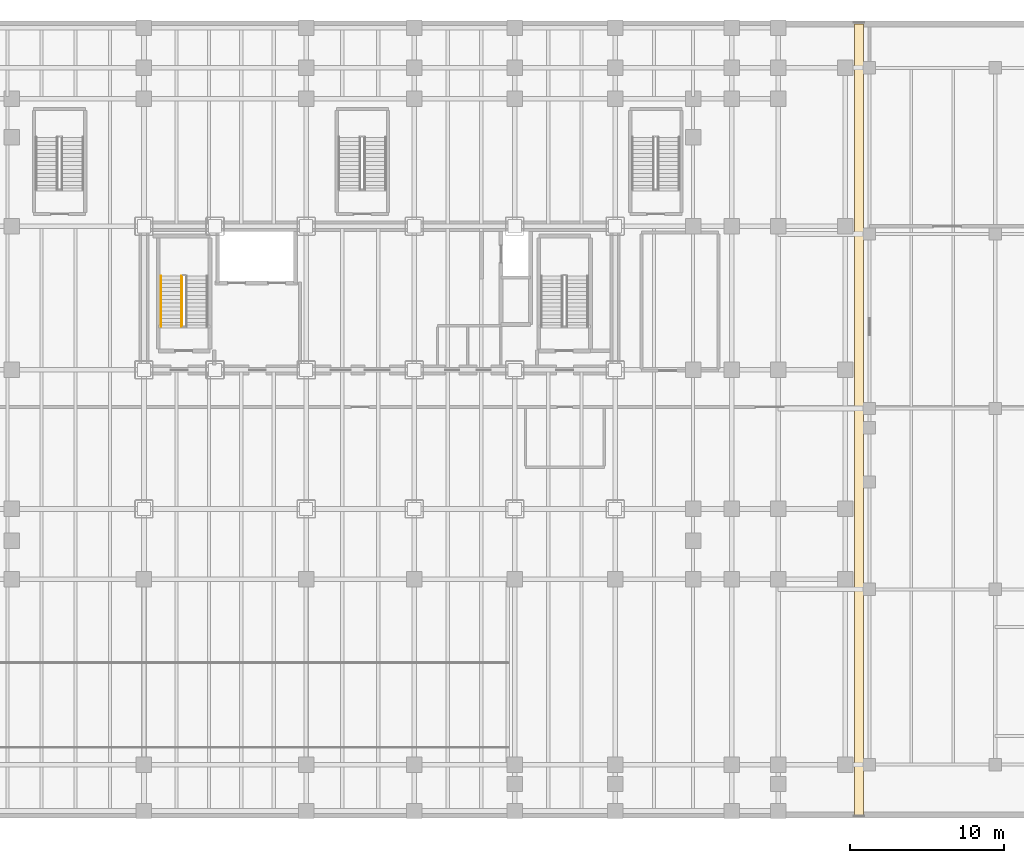
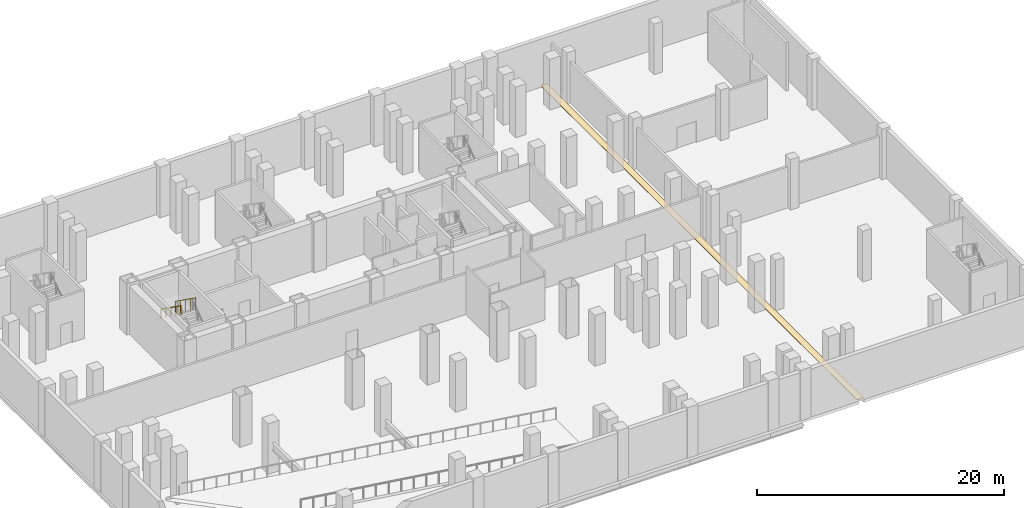
# One storey, part 15 of 18: 2 railings, 1 covering.
"""IFC4 building model written with IfcOpenShell, lengths in metres."""

import ifcopenshell
import ifcopenshell.guid

model = None  # the IFC model being written
_history = None  # IfcOwnerHistory: only IFC2X3 demands one
_inside = {}  # id of a spatial element -> (the spatial element, [elements in it])
_under = {}  # id of a project, library or spatial element -> (it, [spatial elements below it])
_declared = {}  # id of a project -> (the project, [libraries it declares])
_typed = {}  # id of a type object -> (the type object, [elements of that type])
_made_of = {}  # id of a material, layer set ... -> (it, [elements and type objects made of it])


def new_model(schema):
    """Start an empty IFC model of exactly this schema.

    Asked for "IFC4X3", IfcOpenShell would pick the latest addendum, in which some entities
    have other attributes; the version numbers below select the first issue.
    IFC2X3 requires an IfcOwnerHistory on every rooted entity: one is made here for all.
    """
    global model, _history
    if schema == "IFC4X3":
        model = ifcopenshell.file(schema_version=(4, 3, 0, 0))
    else:
        model = ifcopenshell.file(schema=schema)
    _inside.clear()
    _under.clear()
    _declared.clear()
    _typed.clear()
    _made_of.clear()
    _history = None
    if model.schema == "IFC2X3":
        org = make("IfcOrganization", Name="unknown")
        user = make(
            "IfcPersonAndOrganization",
            ThePerson=make("IfcPerson", FamilyName="unknown"),
            TheOrganization=org,
        )
        app = make(
            "IfcApplication",
            ApplicationDeveloper=org,
            Version="unknown",
            ApplicationFullName="unknown",
            ApplicationIdentifier="unknown",
        )
        _history = make(
            "IfcOwnerHistory",
            OwningUser=user,
            OwningApplication=app,
            ChangeAction="ADDED",
            CreationDate=0,
        )
    return model


def make(cls, **values):
    """One entity of the class cls with the attributes given. An attribute that is None is left unset."""
    return model.create_entity(
        cls, **{name: value for name, value in values.items() if value is not None}
    )


def rooted(cls, **values):
    """An entity with a GlobalId (a new one), such as an element, a storey or a relation."""
    return make(cls, GlobalId=ifcopenshell.guid.new(), OwnerHistory=_history, **values)


def si_unit(unit_type, name, prefix=None):
    """IfcSIUnit, for example si_unit("LENGTHUNIT", "METRE", prefix="MILLI")."""
    return make("IfcSIUnit", UnitType=unit_type, Prefix=prefix, Name=name)


def assignment(units):
    """IfcUnitAssignment: the units of a project."""
    return None if units is None else make("IfcUnitAssignment", Units=units)


def point(xyz):
    """IfcCartesianPoint."""
    return None if xyz is None else make("IfcCartesianPoint", Coordinates=xyz)


def direction(xyz):
    """IfcDirection."""
    return None if xyz is None else make("IfcDirection", DirectionRatios=xyz)


def frame(location, z_axis=None, x_axis=None):
    """IfcAxis2Placement3D, a coordinate frame: its origin and axes. An axis left out is left unset."""
    return make(
        "IfcAxis2Placement3D",
        Location=point(location),
        Axis=direction(z_axis),
        RefDirection=direction(x_axis),
    )


def frame_2d(location, x_axis=None):
    """IfcAxis2Placement2D, a coordinate frame in the plane: its origin and x axis."""
    return make(
        "IfcAxis2Placement2D", Location=point(location), RefDirection=direction(x_axis)
    )


def origin():
    """The frame at (0, 0, 0) with its axes left unset."""
    return frame((0.0, 0.0, 0.0))


def origin_2d():
    """The frame at (0, 0) in the plane with its x axis left unset."""
    return frame_2d((0.0, 0.0))


def place(relative_to, where):
    """IfcLocalPlacement: puts the frame where relative to a parent placement (None: the world)."""
    return make(
        "IfcLocalPlacement", PlacementRelTo=relative_to, RelativePlacement=where
    )


def context(
    kind, dimensions, precision=None, world=None, true_north=None, identifier=None
):
    """IfcGeometricRepresentationContext, for example the 3D "Model" context."""
    return make(
        "IfcGeometricRepresentationContext",
        ContextIdentifier=identifier,
        ContextType=kind,
        CoordinateSpaceDimension=dimensions,
        Precision=precision,
        WorldCoordinateSystem=world,
        TrueNorth=true_north,
    )


def subcontext(parent, identifier, kind, view, scale=None):
    """IfcGeometricRepresentationSubContext, for example "Body" below "Model"."""
    return make(
        "IfcGeometricRepresentationSubContext",
        ContextIdentifier=identifier,
        ContextType=kind,
        ParentContext=parent,
        TargetScale=scale,
        TargetView=view,
    )


def project(units=None, contexts=None):
    """IfcProject with its units and contexts."""
    return rooted(
        "IfcProject",
        Name="project",
        RepresentationContexts=contexts,
        UnitsInContext=assignment(units),
    )


def spatial(cls, under=None, at=None, **own):
    """A site, building, storey or space (cls), placed at a placement, below another one or the project."""
    s = rooted(cls, ObjectPlacement=at, **own)
    if under is not None:
        _under.setdefault(under.id(), (under, []))[1].append(s)
    return s


def polyline(points):
    """IfcPolyline through the points."""
    return make("IfcPolyline", Points=[point(p) for p in points])


def profile(cls, at=None, kind="AREA", **sizes):
    """A parametric profile (cls). Its sizes go by their IFC names, for example OverallWidth=200.0."""
    return make(cls, ProfileType=kind, Position=at, **sizes)


def circle(**sizes):
    """IfcCircleProfileDef."""
    return profile("IfcCircleProfileDef", **sizes)


def outline(outer, holes=None, kind="AREA"):
    """IfcArbitraryClosedProfileDef: a profile drawn as a closed curve; with holes, ...WithVoids."""
    if holes is None:
        return make("IfcArbitraryClosedProfileDef", ProfileType=kind, OuterCurve=outer)
    return make(
        "IfcArbitraryProfileDefWithVoids",
        ProfileType=kind,
        OuterCurve=outer,
        InnerCurves=holes,
    )


def extrude(swept, where, along, depth):
    """IfcExtrudedAreaSolid: the profile swept, set in the frame where, extruded along a direction by depth."""
    return make(
        "IfcExtrudedAreaSolid",
        SweptArea=swept,
        Position=where,
        ExtrudedDirection=direction(along),
        Depth=depth,
    )


def shape(context_of_items, identifier, shape_type, items):
    """IfcShapeRepresentation: the items that make up one representation, for example the "Body"."""
    return make(
        "IfcShapeRepresentation",
        ContextOfItems=context_of_items,
        RepresentationIdentifier=identifier,
        RepresentationType=shape_type,
        Items=items,
    )


def material(Name=None, Category=None):
    """IfcMaterial."""
    return make("IfcMaterial", Name=Name, Category=Category)


def layer(
    of_material, thickness, ventilated=None, Name=None, Category=None, Priority=None
):
    """IfcMaterialLayer: one layer of a wall or slab, of a material (None: an air gap)."""
    return make(
        "IfcMaterialLayer",
        Material=of_material,
        LayerThickness=thickness,
        IsVentilated=ventilated,
        Name=Name,
        Category=Category,
        Priority=Priority,
    )


def layer_set(layers, Name=None):
    """IfcMaterialLayerSet."""
    return make("IfcMaterialLayerSet", MaterialLayers=layers, LayerSetName=Name)


def made_of(thing, what):
    """Note that an element or type object is made of a material, layer set ...; save() writes the relation."""
    if what is not None:
        _made_of.setdefault(what.id(), (what, []))[1].append(thing)
    return thing


def type_object(cls, material=None, **own):
    """A type object (cls), such as IfcWallType, which elements share."""
    return made_of(rooted(cls, **own), material)


def element(
    cls,
    number,
    at=None,
    inside=None,
    cuts=None,
    type_object=None,
    material=None,
    context=None,
    identifier="Body",
    shape_type=None,
    held_by="IfcProductDefinitionShape",
    body=None,
    shapes=None,
    **own,
):
    """One element of the class cls, such as IfcWall. Its Tag is "e" and its number.

    at: its placement. inside: the storey or other place that contains it. cuts: it is an
    opening in that element (IfcRelVoidsElement). A single representation is given by context,
    identifier, shape_type and body (its items); several are given by shapes. held_by: the class
    of the entity that holds the representations. save() writes the other relations.
    """
    e = rooted(cls, Tag="e%d" % number, ObjectPlacement=at, **own)
    if body is not None:
        shapes = [shape(context, identifier, shape_type, body)]
    if shapes is not None:
        e.Representation = make(held_by, Representations=shapes)
    if inside is not None:
        _inside.setdefault(inside.id(), (inside, []))[1].append(e)
    if cuts is not None:
        rooted(
            "IfcRelVoidsElement", RelatingBuildingElement=cuts, RelatedOpeningElement=e
        )
    if type_object is not None:
        _typed.setdefault(type_object.id(), (type_object, []))[1].append(e)
    return made_of(e, material)


def aggregate(whole, parts):
    """IfcRelAggregates: a whole, such as a stair, and the parts it consists of."""
    return rooted("IfcRelAggregates", RelatingObject=whole, RelatedObjects=parts)


def save(model, path):
    """Write the relations noted so far, then the file.

    IfcRelAggregates (storeys below a building ...), IfcRelContainedInSpatialStructure (elements
    in a storey), IfcRelDefinesByType, IfcRelAssociatesMaterial and IfcRelDeclares: one each for
    every whole, place, type object, material and project.
    """
    for whole, parts in _under.values():
        aggregate(whole, parts)
    for where, things in _inside.values():
        rooted(
            "IfcRelContainedInSpatialStructure",
            RelatedElements=things,
            RelatingStructure=where,
        )
    for kind, things in _typed.values():
        rooted("IfcRelDefinesByType", RelatedObjects=things, RelatingType=kind)
    for what, things in _made_of.values():
        rooted("IfcRelAssociatesMaterial", RelatedObjects=things, RelatingMaterial=what)
    for by, libraries in _declared.values():
        rooted("IfcRelDeclares", RelatingContext=by, RelatedDefinitions=libraries)
    model.write(path)


model = new_model("IFC4")

# Units and contexts
model_context = context("Model", 3, precision=1e-05, world=origin(), true_north=direction((0.0, 1.0)))
body_context = subcontext(model_context, "Body", "Model", "MODEL_VIEW")
ifc_project = project(units=[si_unit("LENGTHUNIT", "METRE"), si_unit("AREAUNIT", "SQUARE_METRE"), si_unit("VOLUMEUNIT", "CUBIC_METRE"), si_unit("PLANEANGLEUNIT", "RADIAN"), si_unit("MASSUNIT", "GRAM", prefix="KILO")], contexts=[model_context])

# Site, building, storey
site_placement = place(None, origin())
site = spatial("IfcSite", under=ifc_project, at=site_placement, CompositionType="ELEMENT")
building_placement = place(site_placement, origin())
building = spatial("IfcBuilding", under=site, at=building_placement, Name="Noeulbin Bourse Tower", CompositionType="ELEMENT")
storey_placement = place(building_placement, frame((0.0, 0.0, -5.0)))
storey = spatial("IfcBuildingStorey", under=building, at=storey_placement, Name="B01", CompositionType="ELEMENT", Elevation=-5.0)

# Covering
ifc_material_1 = material(Name="Honed Geumjeong Granite Paving", Category="masonry")
ifc_layer_1 = layer(ifc_material_1, 0.030029296875)
ifc_layer_set_1 = layer_set([ifc_layer_1], Name="Honed Geumjeong Granite Paving")
covering_type = type_object("IfcCoveringType", Name="COV-FLR-STN", PredefinedType="FLOORING", material=ifc_layer_set_1)
covering_placement = place(storey_placement, origin())
element("IfcCovering", 1, at=covering_placement, inside=storey, type_object=covering_type, Name="Seismic Expansion Joint Floor Cover B01", PredefinedType="FLOORING", context=body_context, shape_type="SweptSolid", body=[
    extrude(outline(polyline([(59.47998046875, 0.199951171875), (60.070068359375, 0.199951171875), (60.070068359375, 51.39990234375), (59.47998046875, 51.39990234375), (59.47998046875, 0.199951171875)])), origin(), (0.0, 0.0, 1.0), 0.030029296875),
])

# Railings
ifc_material_2 = material(Name="Painted Tubular Steel S355", Category="steel")
ifc_layer_2 = layer(ifc_material_2, 0.048095703125)
ifc_layer_set_2 = layer_set([ifc_layer_2], Name="Painted Tubular Steel S355")
railing_type_1 = type_object("IfcRailingType", Name="RLG-STR-GRD", PredefinedType="GUARDRAIL", material=ifc_layer_set_2)
railing_1_placement = place(storey_placement, frame((15.949951171875, 35.0859375, 2.678466796875)))
element("IfcRailing", 2, at=railing_1_placement, inside=storey, type_object=railing_type_1, Name="B01 ST-1 stair guard 3", PredefinedType="GUARDRAIL", context=body_context, shape_type="SweptSolid", body=[
    extrude(circle(Radius=0.02392578125, at=origin_2d()), frame((0.0, 0.0, 1.17578125), z_axis=(0.0, -0.815893006872, 0.578202906718), x_axis=(1.0, 0.0, 0.0)), (0.0, 0.0, 1.0), 4.01513671875),
    extrude(circle(Radius=0.02099609375, at=origin_2d()), origin(), (0.0, 0.0, 1.0), 1.15185546875),
    extrude(circle(Radius=0.02099609375, at=origin_2d()), frame((0.0, -0.81884765625, 0.580322265625)), (0.0, 0.0, 1.0), 1.15185546875),
    extrude(circle(Radius=0.02099609375, at=origin_2d()), frame((0.0, -1.637939453125, 1.16064453125)), (0.0, 0.0, 1.0), 1.15185546875),
    extrude(circle(Radius=0.02099609375, at=origin_2d()), frame((0.0, -2.45703125, 1.7412109375)), (0.0, 0.0, 1.0), 1.15185546875),
    extrude(circle(Radius=0.02099609375, at=origin_2d()), frame((0.0, -3.27587890625, 2.321533203125)), (0.0, 0.0, 1.0), 1.15185546875),
])
ifc_material_3 = material(Name="Brushed Stainless Steel 316", Category="steel")
ifc_layer_3 = layer(ifc_material_3, 0.048095703125)
ifc_layer_set_3 = layer_set([ifc_layer_3], Name="Brushed Stainless Steel 316")
railing_type_2 = type_object("IfcRailingType", Name="RLG-STR-HND", PredefinedType="HANDRAIL", material=ifc_layer_set_3)
railing_2_placement = place(storey_placement, frame((14.60009765625, 35.0859375, 2.678466796875)))
element("IfcRailing", 3, at=railing_2_placement, inside=storey, type_object=railing_type_2, Name="B01 ST-1 stair handrail 2", PredefinedType="HANDRAIL", context=body_context, shape_type="SweptSolid", body=[
    extrude(circle(Radius=0.02392578125, at=origin_2d()), frame((0.0, 0.0, 0.8759765625), z_axis=(0.0, -0.815893006872, 0.578202906718), x_axis=(1.0, 0.0, 0.0)), (0.0, 0.0, 1.0), 4.01513671875),
    extrude(circle(Radius=0.02099609375, at=origin_2d()), origin(), (0.0, 0.0, 1.0), 0.851806640625),
    extrude(circle(Radius=0.02099609375, at=origin_2d()), frame((0.0, -0.81884765625, 0.580322265625)), (0.0, 0.0, 1.0), 0.851806640625),
    extrude(circle(Radius=0.02099609375, at=origin_2d()), frame((0.0, -1.637939453125, 1.16064453125)), (0.0, 0.0, 1.0), 0.851806640625),
    extrude(circle(Radius=0.02099609375, at=origin_2d()), frame((0.0, -2.45703125, 1.7412109375)), (0.0, 0.0, 1.0), 0.851806640625),
    extrude(circle(Radius=0.02099609375, at=origin_2d()), frame((0.0, -3.27587890625, 2.321533203125)), (0.0, 0.0, 1.0), 0.851806640625),
])

save(model, "model.ifc")
